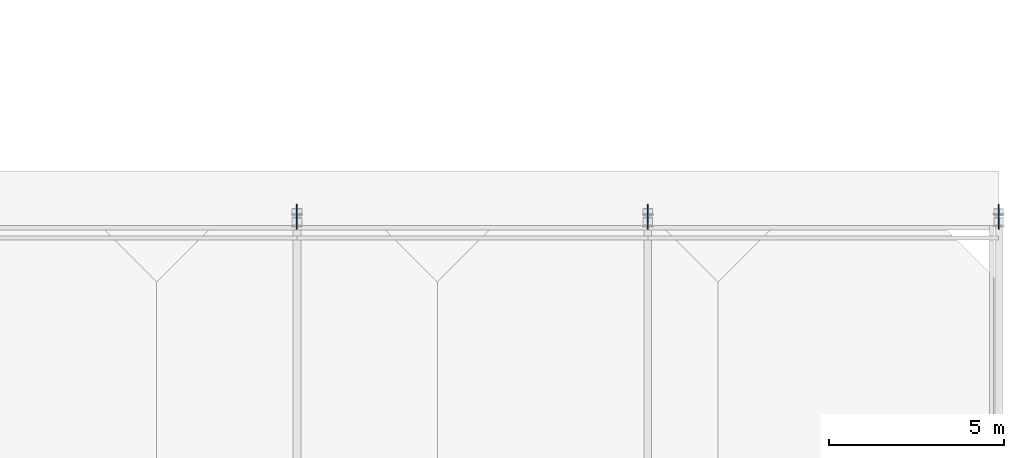
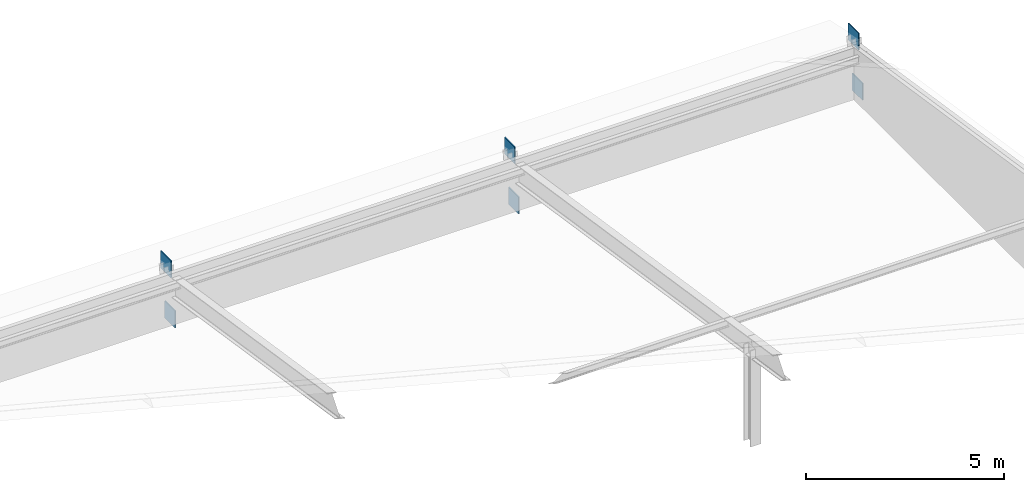
# One storey, part 77 of 89: 6 plates.
"""IFC4 building model written with IfcOpenShell, lengths in metres."""

import ifcopenshell
import ifcopenshell.guid

model = None  # the IFC model being written
_history = None  # IfcOwnerHistory: only IFC2X3 demands one
_inside = {}  # id of a spatial element -> (the spatial element, [elements in it])
_under = {}  # id of a project, library or spatial element -> (it, [spatial elements below it])
_declared = {}  # id of a project -> (the project, [libraries it declares])
_typed = {}  # id of a type object -> (the type object, [elements of that type])
_made_of = {}  # id of a material, layer set ... -> (it, [elements and type objects made of it])


def new_model(schema):
    """Start an empty IFC model of exactly this schema.

    Asked for "IFC4X3", IfcOpenShell would pick the latest addendum, in which some entities
    have other attributes; the version numbers below select the first issue.
    IFC2X3 requires an IfcOwnerHistory on every rooted entity: one is made here for all.
    """
    global model, _history
    if schema == "IFC4X3":
        model = ifcopenshell.file(schema_version=(4, 3, 0, 0))
    else:
        model = ifcopenshell.file(schema=schema)
    _inside.clear()
    _under.clear()
    _declared.clear()
    _typed.clear()
    _made_of.clear()
    _history = None
    if model.schema == "IFC2X3":
        org = make("IfcOrganization", Name="unknown")
        user = make(
            "IfcPersonAndOrganization",
            ThePerson=make("IfcPerson", FamilyName="unknown"),
            TheOrganization=org,
        )
        app = make(
            "IfcApplication",
            ApplicationDeveloper=org,
            Version="unknown",
            ApplicationFullName="unknown",
            ApplicationIdentifier="unknown",
        )
        _history = make(
            "IfcOwnerHistory",
            OwningUser=user,
            OwningApplication=app,
            ChangeAction="ADDED",
            CreationDate=0,
        )
    return model


def make(cls, **values):
    """One entity of the class cls with the attributes given. An attribute that is None is left unset."""
    return model.create_entity(
        cls, **{name: value for name, value in values.items() if value is not None}
    )


def rooted(cls, **values):
    """An entity with a GlobalId (a new one), such as an element, a storey or a relation."""
    return make(cls, GlobalId=ifcopenshell.guid.new(), OwnerHistory=_history, **values)


def si_unit(unit_type, name, prefix=None):
    """IfcSIUnit, for example si_unit("LENGTHUNIT", "METRE", prefix="MILLI")."""
    return make("IfcSIUnit", UnitType=unit_type, Prefix=prefix, Name=name)


def assignment(units):
    """IfcUnitAssignment: the units of a project."""
    return None if units is None else make("IfcUnitAssignment", Units=units)


def point(xyz):
    """IfcCartesianPoint."""
    return None if xyz is None else make("IfcCartesianPoint", Coordinates=xyz)


def direction(xyz):
    """IfcDirection."""
    return None if xyz is None else make("IfcDirection", DirectionRatios=xyz)


def frame(location, z_axis=None, x_axis=None):
    """IfcAxis2Placement3D, a coordinate frame: its origin and axes. An axis left out is left unset."""
    return make(
        "IfcAxis2Placement3D",
        Location=point(location),
        Axis=direction(z_axis),
        RefDirection=direction(x_axis),
    )


def frame_2d(location, x_axis=None):
    """IfcAxis2Placement2D, a coordinate frame in the plane: its origin and x axis."""
    return make(
        "IfcAxis2Placement2D", Location=point(location), RefDirection=direction(x_axis)
    )


def origin():
    """The frame at (0, 0, 0) with its axes left unset."""
    return frame((0.0, 0.0, 0.0))


def origin_2d():
    """The frame at (0, 0) in the plane with its x axis left unset."""
    return frame_2d((0.0, 0.0))


def place(relative_to, where):
    """IfcLocalPlacement: puts the frame where relative to a parent placement (None: the world)."""
    return make(
        "IfcLocalPlacement", PlacementRelTo=relative_to, RelativePlacement=where
    )


def context(
    kind, dimensions, precision=None, world=None, true_north=None, identifier=None
):
    """IfcGeometricRepresentationContext, for example the 3D "Model" context."""
    return make(
        "IfcGeometricRepresentationContext",
        ContextIdentifier=identifier,
        ContextType=kind,
        CoordinateSpaceDimension=dimensions,
        Precision=precision,
        WorldCoordinateSystem=world,
        TrueNorth=true_north,
    )


def subcontext(parent, identifier, kind, view, scale=None):
    """IfcGeometricRepresentationSubContext, for example "Body" below "Model"."""
    return make(
        "IfcGeometricRepresentationSubContext",
        ContextIdentifier=identifier,
        ContextType=kind,
        ParentContext=parent,
        TargetScale=scale,
        TargetView=view,
    )


def project(units=None, contexts=None):
    """IfcProject with its units and contexts."""
    return rooted(
        "IfcProject",
        Name="project",
        RepresentationContexts=contexts,
        UnitsInContext=assignment(units),
    )


def spatial(cls, under=None, at=None, **own):
    """A site, building, storey or space (cls), placed at a placement, below another one or the project."""
    s = rooted(cls, ObjectPlacement=at, **own)
    if under is not None:
        _under.setdefault(under.id(), (under, []))[1].append(s)
    return s


def profile(cls, at=None, kind="AREA", **sizes):
    """A parametric profile (cls). Its sizes go by their IFC names, for example OverallWidth=200.0."""
    return make(cls, ProfileType=kind, Position=at, **sizes)


def rectangle(**sizes):
    """IfcRectangleProfileDef."""
    return profile("IfcRectangleProfileDef", **sizes)


def extrude(swept, where, along, depth):
    """IfcExtrudedAreaSolid: the profile swept, set in the frame where, extruded along a direction by depth."""
    return make(
        "IfcExtrudedAreaSolid",
        SweptArea=swept,
        Position=where,
        ExtrudedDirection=direction(along),
        Depth=depth,
    )


def shape(context_of_items, identifier, shape_type, items):
    """IfcShapeRepresentation: the items that make up one representation, for example the "Body"."""
    return make(
        "IfcShapeRepresentation",
        ContextOfItems=context_of_items,
        RepresentationIdentifier=identifier,
        RepresentationType=shape_type,
        Items=items,
    )


def material(Name=None, Category=None):
    """IfcMaterial."""
    return make("IfcMaterial", Name=Name, Category=Category)


def layer(
    of_material, thickness, ventilated=None, Name=None, Category=None, Priority=None
):
    """IfcMaterialLayer: one layer of a wall or slab, of a material (None: an air gap)."""
    return make(
        "IfcMaterialLayer",
        Material=of_material,
        LayerThickness=thickness,
        IsVentilated=ventilated,
        Name=Name,
        Category=Category,
        Priority=Priority,
    )


def layer_set(layers, Name=None):
    """IfcMaterialLayerSet."""
    return make("IfcMaterialLayerSet", MaterialLayers=layers, LayerSetName=Name)


def made_of(thing, what):
    """Note that an element or type object is made of a material, layer set ...; save() writes the relation."""
    if what is not None:
        _made_of.setdefault(what.id(), (what, []))[1].append(thing)
    return thing


def type_object(cls, material=None, **own):
    """A type object (cls), such as IfcWallType, which elements share."""
    return made_of(rooted(cls, **own), material)


def element(
    cls,
    number,
    at=None,
    inside=None,
    cuts=None,
    type_object=None,
    material=None,
    context=None,
    identifier="Body",
    shape_type=None,
    held_by="IfcProductDefinitionShape",
    body=None,
    shapes=None,
    **own,
):
    """One element of the class cls, such as IfcWall. Its Tag is "e" and its number.

    at: its placement. inside: the storey or other place that contains it. cuts: it is an
    opening in that element (IfcRelVoidsElement). A single representation is given by context,
    identifier, shape_type and body (its items); several are given by shapes. held_by: the class
    of the entity that holds the representations. save() writes the other relations.
    """
    e = rooted(cls, Tag="e%d" % number, ObjectPlacement=at, **own)
    if body is not None:
        shapes = [shape(context, identifier, shape_type, body)]
    if shapes is not None:
        e.Representation = make(held_by, Representations=shapes)
    if inside is not None:
        _inside.setdefault(inside.id(), (inside, []))[1].append(e)
    if cuts is not None:
        rooted(
            "IfcRelVoidsElement", RelatingBuildingElement=cuts, RelatedOpeningElement=e
        )
    if type_object is not None:
        _typed.setdefault(type_object.id(), (type_object, []))[1].append(e)
    return made_of(e, material)


def aggregate(whole, parts):
    """IfcRelAggregates: a whole, such as a stair, and the parts it consists of."""
    return rooted("IfcRelAggregates", RelatingObject=whole, RelatedObjects=parts)


def save(model, path):
    """Write the relations noted so far, then the file.

    IfcRelAggregates (storeys below a building ...), IfcRelContainedInSpatialStructure (elements
    in a storey), IfcRelDefinesByType, IfcRelAssociatesMaterial and IfcRelDeclares: one each for
    every whole, place, type object, material and project.
    """
    for whole, parts in _under.values():
        aggregate(whole, parts)
    for where, things in _inside.values():
        rooted(
            "IfcRelContainedInSpatialStructure",
            RelatedElements=things,
            RelatingStructure=where,
        )
    for kind, things in _typed.values():
        rooted("IfcRelDefinesByType", RelatedObjects=things, RelatingType=kind)
    for what, things in _made_of.values():
        rooted("IfcRelAssociatesMaterial", RelatedObjects=things, RelatingMaterial=what)
    for by, libraries in _declared.values():
        rooted("IfcRelDeclares", RelatingContext=by, RelatedDefinitions=libraries)
    model.write(path)


model = new_model("IFC4")

# Units and contexts
model_context = context("Model", 3, precision=1e-05, world=origin(), true_north=direction((0.0, 1.0)))
body_context = subcontext(model_context, "Body", "Model", "MODEL_VIEW")
ifc_project = project(units=[si_unit("LENGTHUNIT", "METRE"), si_unit("AREAUNIT", "SQUARE_METRE"), si_unit("VOLUMEUNIT", "CUBIC_METRE"), si_unit("PLANEANGLEUNIT", "RADIAN"), si_unit("MASSUNIT", "GRAM", prefix="KILO")], contexts=[model_context])

# Site, building, storey
site_placement = place(None, origin())
site = spatial("IfcSite", under=ifc_project, at=site_placement, CompositionType="ELEMENT")
building_placement = place(site_placement, origin())
building = spatial("IfcBuilding", under=site, at=building_placement, Name="Zereglee Splitstone Museum", CompositionType="ELEMENT")
storey_placement = place(building_placement, frame((0.0, 0.0, 21.300048828125)))
storey = spatial("IfcBuildingStorey", under=building, at=storey_placement, Name="L04", CompositionType="ELEMENT", Elevation=21.300048828125)

# Plates
ifc_material = material(Name="Steel S355J2", Category="steel")
ifc_layer = layer(ifc_material, 0.030029296875)
ifc_layer_set = layer_set([ifc_layer], Name="Steel S355J2")
plate_type = type_object("IfcPlateType", Name="NP-04", PredefinedType="SHEET", material=ifc_layer_set)
for number, where, z_axis, x_axis, name in (
    (1, (195.199951171875, 21.60009765625, -0.110107421875), (0.0, 0.0, 1.0), (1.0, 0.0, 0.0), "Chhajja Corbel Gusset Plate RF-V3"),
    (2, (195.199951171875, 21.800048828125, 1.31005859375), (0.0, 0.0, 1.0), (1.0, 0.0, 0.0), "Chhajja Corbel Gusset Plate RF-V3"),
    (3, (205.199951171875, 21.60009765625, -0.110107421875), (0.0, 0.0, 1.0), (1.0, 0.0, 0.0), "Chhajja Corbel Gusset Plate RF-V3"),
    (4, (205.199951171875, 21.800048828125, 1.31005859375), (0.0, 0.0, 1.0), (1.0, 0.0, 0.0), "Chhajja Corbel Gusset Plate RF-V3"),
    (5, (215.199951171875, 21.60009765625, -0.110107421875), (0.0, 0.0, 1.0), (1.0, 0.0, 0.0), "Chhajja Corbel Gusset Plate RF-V3"),
    (6, (215.199951171875, 21.800048828125, 1.31005859375), (0.0, 0.0, 1.0), (1.0, 0.0, 0.0), "Chhajja Corbel Gusset Plate RF-V3"),
):
    element("IfcPlate", number, at=place(storey_placement, frame(where, z_axis=z_axis, x_axis=x_axis)), inside=storey, type_object=plate_type, Name=name, PredefinedType="SHEET", context=body_context, shape_type="SweptSolid", body=[
        extrude(rectangle(XDim=0.030029296875, YDim=0.52001953125, at=origin_2d()), origin(), (0.0, 0.0, 1.0), 0.52001953125),
    ])

save(model, "model.ifc")
